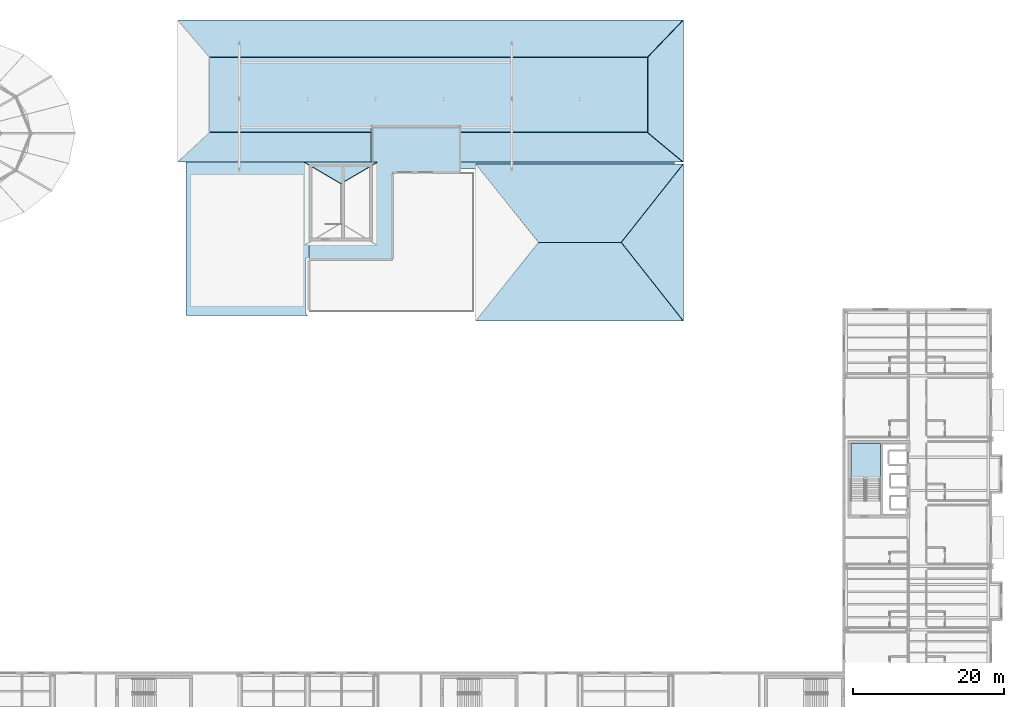
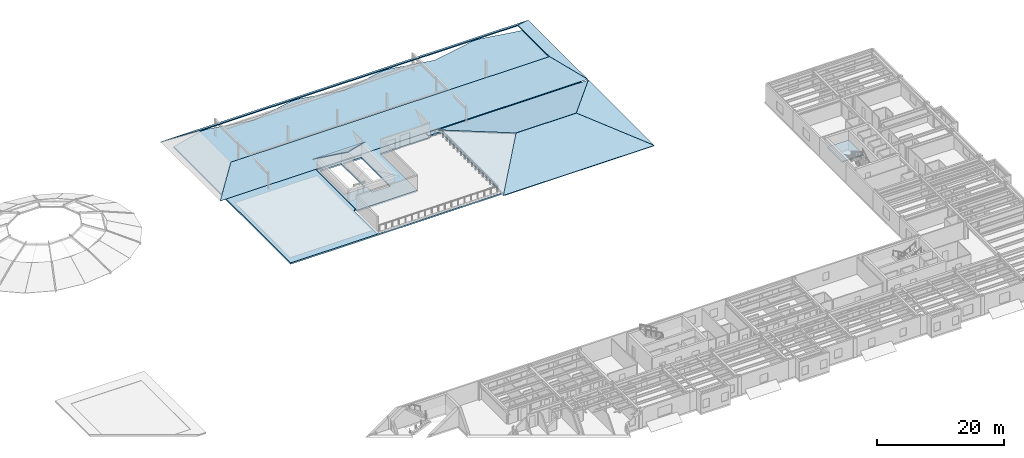
# One storey, part 11 of 34: 10 slabs, 1 element without a shape of its own.
"""IFC4 building model written with IfcOpenShell, lengths in metres."""

from ifc_helpers import new_model, si_unit, direction, frame, origin, place, context, subcontext, project, spatial, polyline, outline, extrude, material, layer, layer_set, type_object, element, aggregate, save


model = new_model("IFC4")

# Units and contexts
model_context = context("Model", 3, precision=1e-05, world=origin(), true_north=direction((0.0, 1.0)))
body_context = subcontext(model_context, "Body", "Model", "MODEL_VIEW")
ifc_project = project(units=[si_unit("LENGTHUNIT", "METRE"), si_unit("AREAUNIT", "SQUARE_METRE"), si_unit("VOLUMEUNIT", "CUBIC_METRE"), si_unit("PLANEANGLEUNIT", "RADIAN"), si_unit("MASSUNIT", "GRAM", prefix="KILO")], contexts=[model_context])

# Site, building, storey
site_placement = place(None, origin())
site = spatial("IfcSite", under=ifc_project, at=site_placement, CompositionType="ELEMENT")
building_placement = place(site_placement, origin())
building = spatial("IfcBuilding", under=site, at=building_placement, Name="Sollismere Congress Hotel", CompositionType="ELEMENT")
storey_placement = place(building_placement, frame((0.0, 0.0, 23.39990234375)))
storey = spatial("IfcBuildingStorey", under=building, at=storey_placement, Name="L05", CompositionType="ELEMENT", Elevation=23.39990234375)

# Slab
ifc_material_1 = material(Name="Concrete C40/50", Category="concrete")
ifc_layer_1 = layer(ifc_material_1, 0.2900390625, Name="Concrete C40/50")
ifc_layer_set_1 = layer_set([ifc_layer_1], Name="Concrete C40/50")
slab_type_1 = type_object("IfcSlabType", Name="SL-FLR290", PredefinedType="FLOOR", material=ifc_layer_set_1)
slab_1_placement = place(storey_placement, frame((0.0, 0.0, -0.289794921875)))
element("IfcSlab", 1, at=slab_1_placement, inside=storey, type_object=slab_type_1, Name="Slab SL-L05-FLR", PredefinedType="FLOOR", context=body_context, shape_type="SweptSolid", body=[
    extrude(outline(polyline([(87.199951171875, 73.60009765625), (87.199951171875, 85.25), (96.14990234375, 85.25), (96.14990234375, 91.35009765625), (84.39990234375, 91.35009765625), (84.39990234375, 86.39990234375), (76.199951171875, 86.39990234375), (76.199951171875, 73.60009765625), (87.199951171875, 73.60009765625)]), holes=[polyline([(80.77001953125, 76.739990234375), (80.77001953125, 85.860107421875), (84.06005859375, 85.860107421875), (84.06005859375, 76.739990234375), (80.77001953125, 76.739990234375)]), polyline([(76.60009765625, 78.45068359375), (76.60009765625, 86.0), (80.5, 86.0), (80.5, 78.45068359375), (76.60009765625, 78.45068359375)])]), origin(), (0.0, 0.0, 1.0), 0.289794921875),
])

# Stair, slab
stair_type = type_object("IfcStairType", Name="STR-DL-360", PredefinedType="HALF_TURN_STAIR", material=ifc_material_1)
stair_placement = place(storey_placement, origin())
stair = element("IfcStair", 2, at=stair_placement, inside=storey, type_object=stair_type, Name="Protected exit stair ST-03-L05", PredefinedType="HALF_TURN_STAIR")
ifc_layer_2 = layer(ifc_material_1, 0.199951171875, Name="Concrete C40/50")
ifc_layer_set_2 = layer_set([ifc_layer_2], Name="Concrete C40/50")
slab_type_2 = type_object("IfcSlabType", Name="SL-LND200", PredefinedType="LANDING", material=ifc_layer_set_2)
slab_2_placement = place(storey_placement, frame((0.0, 0.0, 1.60009765625)))
slab_2 = element("IfcSlab", 3, at=slab_2_placement, type_object=slab_type_2, Name="Exit stair half-landing ST-03-L05-L1", PredefinedType="LANDING", context=body_context, shape_type="SweptSolid", body=[
    extrude(outline(polyline([(151.699951171875, 44.75), (151.699951171875, 49.39990234375), (147.800048828125, 49.39990234375), (147.800048828125, 44.75), (151.699951171875, 44.75)])), origin(), (0.0, 0.0, 1.0), 0.199951171875),
])
aggregate(stair, [slab_2])

# Slabs
ifc_layer_3 = layer(ifc_material_1, 0.2900390625, Name="Concrete C40/50")
ifc_layer_set_3 = layer_set([ifc_layer_3], Name="Concrete C40/50")
slab_type_3 = type_object("IfcSlabType", Name="SL-ROOF290", PredefinedType="ROOF", material=ifc_layer_set_3)
slab_3_placement = place(storey_placement, frame((0.0, 0.0, -0.289794921875)))
element("IfcSlab", 4, at=slab_3_placement, inside=storey, type_object=slab_type_3, Name="Slab SL-L05-RF2", PredefinedType="ROOF", context=body_context, shape_type="SweptSolid", body=[
    extrude(outline(polyline([(59.919921875, 66.320068359375), (124.47998046875, 66.320068359375), (124.47998046875, 66.85009765625), (124.47998046875, 103.199951171875), (115.75, 104.87841796875), (107.5, 103.199951171875), (99.25, 104.87841796875), (91.0, 103.199951171875), (82.75, 104.87841796875), (74.5, 103.199951171875), (66.25, 104.87841796875), (59.919921875, 103.199951171875), (59.919921875, 66.800048828125), (59.919921875, 66.320068359375)]), holes=[polyline([(76.14990234375, 74.046875), (76.14990234375, 86.39990234375), (76.150146484375, 86.40478515625), (76.15087890625, 86.40966796875), (76.152099609375, 86.41455078125), (76.15380859375, 86.419189453125), (76.156005859375, 86.423583984375), (76.158447265625, 86.427734375), (76.161376953125, 86.431640625), (76.16455078125, 86.435302734375), (76.168212890625, 86.438720703125), (76.172119140625, 86.441650390625), (76.176513671875, 86.444091796875), (76.180908203125, 86.4462890625), (76.185546875, 86.44775390625), (76.190185546875, 86.448974609375), (76.195068359375, 86.44970703125), (76.199951171875, 86.449951171875), (84.35009765625, 86.449951171875), (84.35009765625, 91.35009765625), (84.350341796875, 91.35498046875), (84.35107421875, 91.35986328125), (84.35205078125, 91.364501953125), (84.353759765625, 91.369140625), (84.35595703125, 91.37353515625), (84.3583984375, 91.377685546875), (84.361328125, 91.3818359375), (84.36474609375, 91.38525390625), (84.3681640625, 91.388671875), (84.372314453125, 91.3916015625), (84.37646484375, 91.39404296875), (84.380859375, 91.396240234375), (84.385498046875, 91.39794921875), (84.39013671875, 91.39892578125), (84.39501953125, 91.399658203125), (84.39990234375, 91.39990234375), (96.14990234375, 91.39990234375), (96.15478515625, 91.399658203125), (96.15966796875, 91.39892578125), (96.16455078125, 91.39794921875), (96.169189453125, 91.396240234375), (96.173583984375, 91.39404296875), (96.177734375, 91.3916015625), (96.181640625, 91.388671875), (96.185302734375, 91.38525390625), (96.188720703125, 91.3818359375), (96.191650390625, 91.377685546875), (96.194091796875, 91.37353515625), (96.1962890625, 91.369140625), (96.19775390625, 91.364501953125), (96.198974609375, 91.35986328125), (96.19970703125, 91.35498046875), (96.199951171875, 91.35009765625), (96.199951171875, 85.699951171875), (98.0, 85.699951171875), (98.044189453125, 85.69775390625), (98.087890625, 85.69140625), (98.130615234375, 85.6806640625), (98.172119140625, 85.665771484375), (98.212158203125, 85.64697265625), (98.25, 85.624267578125), (98.285400390625, 85.597900390625), (98.318115234375, 85.568115234375), (98.347900390625, 85.535400390625), (98.374267578125, 85.5), (98.39697265625, 85.462158203125), (98.415771484375, 85.422119140625), (98.4306640625, 85.380615234375), (98.44140625, 85.337890625), (98.44775390625, 85.294189453125), (98.449951171875, 85.25), (98.449951171875, 66.800048828125), (98.44775390625, 66.755859375), (98.44140625, 66.712158203125), (98.4306640625, 66.66943359375), (98.415771484375, 66.627685546875), (98.39697265625, 66.587890625), (98.374267578125, 66.550048828125), (98.347900390625, 66.514404296875), (98.318115234375, 66.481689453125), (98.285400390625, 66.4521484375), (98.25, 66.42578125), (98.212158203125, 66.403076171875), (98.172119140625, 66.38427734375), (98.130615234375, 66.369384765625), (98.087890625, 66.358642578125), (98.044189453125, 66.35205078125), (98.0, 66.35009765625), (76.199951171875, 66.35009765625), (76.156005859375, 66.35205078125), (76.1123046875, 66.358642578125), (76.0693359375, 66.369384765625), (76.02783203125, 66.38427734375), (75.98779296875, 66.403076171875), (75.949951171875, 66.42578125), (75.91455078125, 66.4521484375), (75.8818359375, 66.481689453125), (75.85205078125, 66.514404296875), (75.825927734375, 66.550048828125), (75.80322265625, 66.587890625), (75.7841796875, 66.627685546875), (75.769287109375, 66.66943359375), (75.758544921875, 66.712158203125), (75.752197265625, 66.755859375), (75.75, 66.800048828125), (75.75, 73.60009765625), (75.752197265625, 73.64404296875), (75.758544921875, 73.687744140625), (75.769287109375, 73.730712890625), (75.7841796875, 73.772216796875), (75.80322265625, 73.81201171875), (75.825927734375, 73.85009765625), (75.85205078125, 73.885498046875), (75.8818359375, 73.918212890625), (75.91455078125, 73.94775390625), (75.949951171875, 73.97412109375), (75.98779296875, 73.996826171875), (76.02783203125, 74.015625), (76.0693359375, 74.030517578125), (76.1123046875, 74.041259765625), (76.14990234375, 74.046875)])]), origin(), (0.0, 0.0, 1.0), 0.289794921875),
])
ifc_material_2 = material(Name="Standing-Seam Zinc on Precast Concrete C40/50", Category="concrete")
ifc_layer_4 = layer(ifc_material_2, 0.14990234375, Name="Standing-Seam Zinc on Precast Concrete C40/50")
ifc_layer_set_4 = layer_set([ifc_layer_4], Name="Standing-Seam Zinc on Precast Concrete C40/50")
slab_type_4 = type_object("IfcSlabType", Name="SL-SACAK150", PredefinedType="ROOF", material=ifc_layer_set_4)
slab_4_placement = place(storey_placement, frame((120.908203125, 90.501953125, 3.521728515625), z_axis=(0.612327247338, 0.0, 0.790604415728), x_axis=(0.661051739614, -0.548524257888, -0.511988023357)))
element("IfcSlab", 5, at=slab_4_placement, inside=storey, type_object=slab_type_4, Name="Hipped roof facet SL-V2N-E", PredefinedType="ROOF", context=body_context, shape_type="SweptSolid", body=[
    extrude(outline(polyline([(0.0, 0.0), (7.10986328125, 0.0), (-3.2001953125, 15.7158203125), (-5.483154296875, 8.358154296875), (0.0, 0.0)])), origin(), (0.0, 0.0, 1.0), 0.14990234375),
])
slab_5_placement = place(storey_placement, frame((58.802001953125, 86.702392578125, -0.109619140625), z_axis=(0.0, -0.68234107767, 0.731033962086), x_axis=(1.0, 0.0, 0.0)))
element("IfcSlab", 6, at=slab_5_placement, inside=storey, type_object=slab_type_4, Name="Hipped roof facet SL-V2N-S", PredefinedType="ROOF", context=body_context, shape_type="SweptSolid", body=[
    extrude(outline(polyline([(0.0, 0.0), (66.89599609375, 0.0), (62.196044921875, 5.334716796875), (4.199951171875, 5.334716796875), (0.0, 0.0)])), origin(), (0.0, 0.0, 1.0), 0.14990234375),
])
slab_6_placement = place(storey_placement, frame((63.001953125, 100.41064453125, 3.519775390625), z_axis=(0.0, 0.59634609275, 0.802727436719), x_axis=(1.0, 0.0, 0.0)))
element("IfcSlab", 7, at=slab_6_placement, inside=storey, type_object=slab_type_4, Name="Hipped roof facet SL-V2N-N", PredefinedType="ROOF", context=body_context, shape_type="SweptSolid", body=[
    extrude(outline(polyline([(0.0, 0.0), (57.99609375, 0.0), (62.696044921875, 6.10400390625), (-4.199951171875, 6.10400390625), (0.0, 0.0)])), origin(), (0.0, 0.0, 1.0), 0.14990234375),
])
slab_7_placement = place(storey_placement, frame((117.45166015625, 75.98193359375, 2.658203125), z_axis=(0.323150623331, 0.0, 0.94634754432), x_axis=(0.606453775048, -0.767677634201, -0.207086621193)))
element("IfcSlab", 8, at=slab_7_placement, inside=storey, type_object=slab_type_4, Name="Hipped roof facet SL-V2E-E", PredefinedType="ROOF", context=body_context, shape_type="SweptSolid", body=[
    extrude(outline(polyline([(0.0, 0.0), (13.521240234375, 0.0), (-2.443359375, 13.32666015625), (-0.02783203125, 0.023193359375), (0.0, 0.0)])), origin(), (0.0, 0.0, 1.0), 0.14990234375),
])
slab_8_placement = place(storey_placement, frame((98.201904296875, 65.63916015625, -0.144775390625), z_axis=(0.0, -0.260447414279, 0.96548803431), x_axis=(1.0, 0.0, 0.0)))
element("IfcSlab", 9, at=slab_8_placement, inside=storey, type_object=slab_type_4, Name="Hipped roof facet SL-V2E-S", PredefinedType="ROOF", context=body_context, shape_type="SweptSolid", body=[
    extrude(outline(polyline([(0.0, 0.0), (27.49609375, 0.0), (19.296142578125, 10.7509765625), (8.300048828125, 10.7509765625), (0.0, 0.0)])), origin(), (0.0, 0.0, 1.0), 0.14990234375),
])
slab_9_placement = place(storey_placement, frame((106.501953125, 75.98095703125, 2.6552734375), z_axis=(0.0, 0.260447414279, 0.96548803431), x_axis=(1.0, 0.0, 0.0)))
element("IfcSlab", 10, at=slab_9_placement, inside=storey, type_object=slab_type_4, Name="Hipped roof facet SL-V2E-N", PredefinedType="ROOF", context=body_context, shape_type="SweptSolid", body=[
    extrude(outline(polyline([(0.0, 0.0), (10.99609375, 0.0), (19.196044921875, 10.7509765625), (-8.300048828125, 10.7509765625), (0.0, 0.0)])), origin(), (0.0, 0.0, 1.0), 0.14990234375),
])
slab_10_placement = place(storey_placement, frame((80.382080078125, 83.73291015625, 3.466064453125), z_axis=(0.0, 0.447182400083, 0.894442788028), x_axis=(1.0, 0.0, 0.0)))
element("IfcSlab", 11, at=slab_10_placement, inside=storey, type_object=slab_type_4, Name="Hipped roof facet SL-K4H-N", PredefinedType="ROOF", context=body_context, shape_type="SweptSolid", body=[
    extrude(outline(polyline([(0.0, 0.0), (0.035888671875, 0.0), (4.81591796875, 3.130615234375), (-4.780029296875, 3.130615234375), (0.0, 0.0)])), origin(), (0.0, 0.0, 1.0), 0.14990234375),
])

save(model, "model.ifc")
